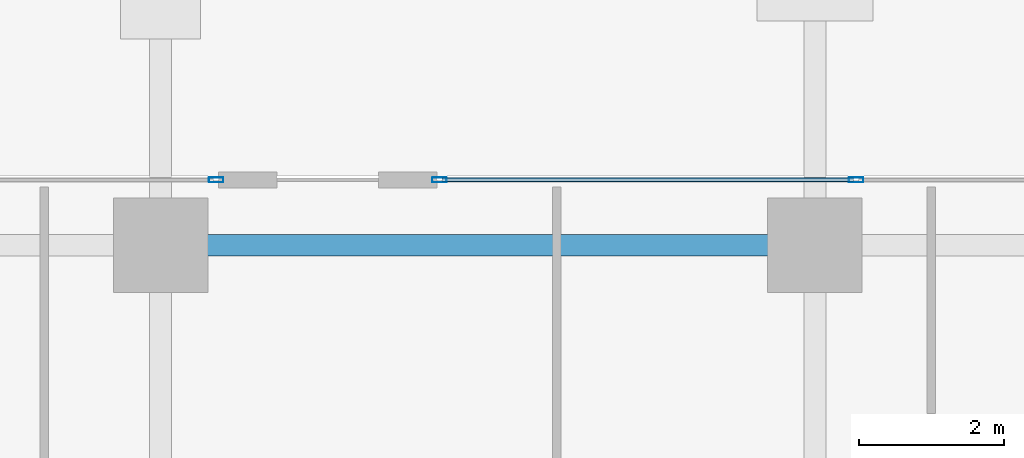
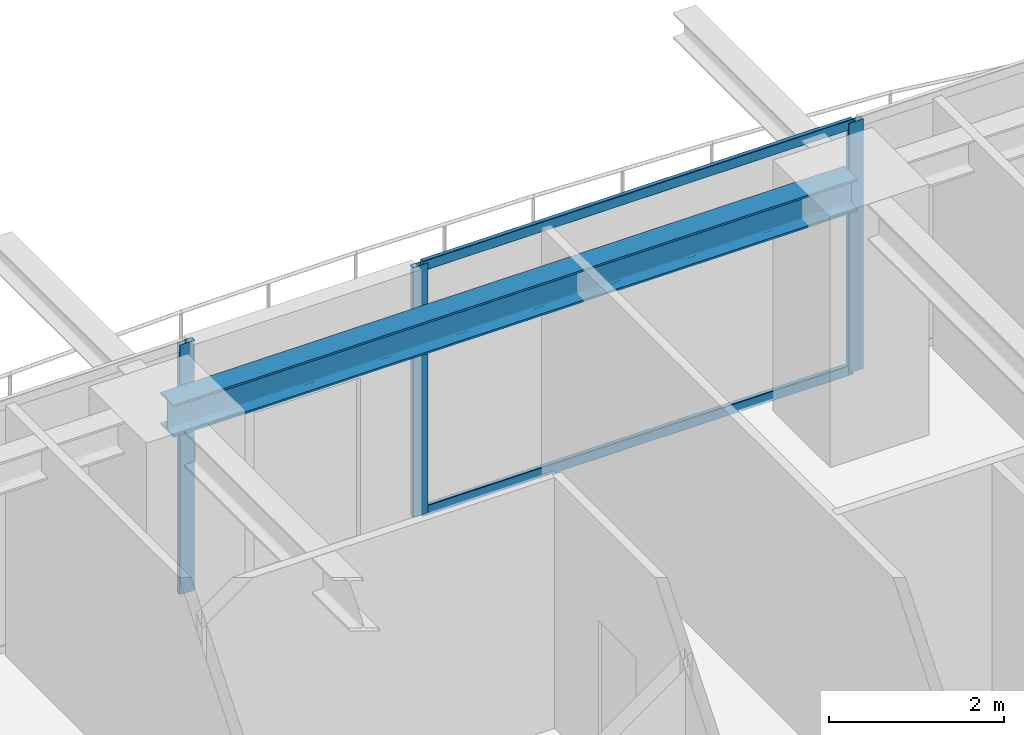
# One storey, part 19 of 34: 5 members, 1 beam, 2 elements without a shape of their own.
"""IFC4 building model written with IfcOpenShell, lengths in metres."""

from ifc_helpers import new_model, si_unit, direction, frame, origin, origin_2d, place, context, subcontext, project, spatial, hollow_rectangle, i_section, extrude, source, transform, mapped, material, layer, layer_set, material_profile, profile_set, type_object, element, aggregate, save


model = new_model("IFC4")

# Units and contexts
model_context = context("Model", 3, precision=1e-05, world=origin(), true_north=direction((0.0, 1.0)))
body_context = subcontext(model_context, "Body", "Model", "MODEL_VIEW")
ifc_project = project(units=[si_unit("LENGTHUNIT", "METRE"), si_unit("AREAUNIT", "SQUARE_METRE"), si_unit("VOLUMEUNIT", "CUBIC_METRE"), si_unit("PLANEANGLEUNIT", "RADIAN"), si_unit("MASSUNIT", "GRAM", prefix="KILO")], contexts=[model_context])

# Site, building, storey
site_placement = place(None, origin())
site = spatial("IfcSite", under=ifc_project, at=site_placement, CompositionType="ELEMENT")
building_placement = place(site_placement, origin())
building = spatial("IfcBuilding", under=site, at=building_placement, Name="Serunith Strait Residences", CompositionType="ELEMENT")
storey_placement = place(building_placement, frame((0.0, 0.0, 180.14990234375)))
storey = spatial("IfcBuildingStorey", under=building, at=storey_placement, Name="L45", CompositionType="ELEMENT", Elevation=180.14990234375)

# Beam
ifc_material_1 = material(Name="Steel S355J2", Category="steel")
ifc_material_profile_1 = material_profile(ifc_material_1, i_section(OverallWidth=0.300048828125, OverallDepth=0.449951171875, WebThickness=0.013916015625, FlangeThickness=0.02587890625, FilletRadius=0.027099609375, at=origin_2d()), Name="HEB 450")
ifc_profile_set_1 = profile_set([ifc_material_profile_1], Name="Steel S355J2")
beam_type = type_object("IfcBeamType", Name="BM-HEB450", PredefinedType="BEAM", material=ifc_profile_set_1)
shared_shape_1 = source(origin(), body_context, "Body", "SweptSolid", [
    extrude(i_section(OverallWidth=0.300048828125, OverallDepth=0.449951171875, WebThickness=0.013916015625, FlangeThickness=0.02587890625, FilletRadius=0.027099609375, at=origin_2d()), origin(), (0.0, 0.0, 1.0), 9.0),
])
beam_placement = place(storey_placement, frame((36.89990234375, 48.10009765625, 3.26220703125), z_axis=(-1.0, 0.0, 0.0), x_axis=(0.0, -1.0, 0.0)))
element("IfcBeam", 1, at=beam_placement, inside=storey, type_object=beam_type, Name="L45 Perimeter Ring Beam 10", PredefinedType="BEAM", context=body_context, shape_type="MappedRepresentation", body=[
    mapped(shared_shape_1, transform((0.0, 0.0, 0.0), scale=1.0)),
])

# Curtain wall, members
ifc_material_2 = material(Name="Pale-Champagne Anodised Aluminium", Category="aluminium")
ifc_layer = layer(ifc_material_2, 0.199951171875, Name="Pale-Champagne Anodised Aluminium")
ifc_layer_set = layer_set([ifc_layer], Name="Pale-Champagne Anodised Aluminium")
curtain_wall_type = type_object("IfcCurtainWallType", Name="CW-SYS2", PredefinedType="NOTDEFINED", material=ifc_layer_set)
curtain_wall_1_placement = place(storey_placement, origin())
curtain_wall_1 = element("IfcCurtainWall", 2, at=curtain_wall_1_placement, inside=storey, type_object=curtain_wall_type, Name="L45 N Unitised Fritted Curtain Wall", PredefinedType="NOTDEFINED")
ifc_material_profile_2 = material_profile(ifc_material_2, hollow_rectangle(XDim=0.070068359375, YDim=0.199951171875, WallThickness=0.00390625, InnerFilletRadius=0.006103515625, OuterFilletRadius=0.010009765625, at=origin_2d()), Name="ALU 200x70x4")
ifc_profile_set_2 = profile_set([ifc_material_profile_2], Name="Pale-Champagne Anodised Aluminium")
member_type_1 = type_object("IfcMemberType", Name="CW-SYS2-MULL", PredefinedType="MULLION", material=ifc_profile_set_2)
shared_shape_2 = source(origin(), body_context, "Body", "SweptSolid", [
    extrude(hollow_rectangle(XDim=0.070068359375, YDim=0.199951171875, WallThickness=0.00390625, InnerFilletRadius=0.006103515625, OuterFilletRadius=0.010009765625, at=origin_2d()), origin(), (0.0, 0.0, 1.0), 3.47509765625),
])
member_1_placement = place(storey_placement, frame((37.466552734375, 49.0, 0.0), z_axis=(0.0, 0.0, 1.0), x_axis=(0.0, -1.0, 0.0)))
member_1 = element("IfcMember", 3, at=member_1_placement, type_object=member_type_1, Name="CW-2 mullion 3", PredefinedType="MULLION", context=body_context, shape_type="MappedRepresentation", body=[
    mapped(shared_shape_2, transform((0.0, 0.0, 0.0), scale=1.0)),
])
member_2_placement = place(storey_placement, frame((31.735107421875, 49.0, 0.0), z_axis=(0.0, 0.0, 1.0), x_axis=(0.0, -1.0, 0.0)))
member_2 = element("IfcMember", 4, at=member_2_placement, type_object=member_type_1, Name="CW-2 mullion 4", PredefinedType="MULLION", context=body_context, shape_type="MappedRepresentation", body=[
    mapped(shared_shape_2, transform((0.0, 0.0, 0.0), scale=1.0)),
])

# Curtain wall, member
curtain_wall_2_placement = place(storey_placement, origin())
curtain_wall_2 = element("IfcCurtainWall", 5, at=curtain_wall_2_placement, inside=storey, type_object=curtain_wall_type, Name="L45 N Unitised Fritted Curtain Wall", PredefinedType="NOTDEFINED")
member_3_placement = place(storey_placement, frame((28.6650390625, 49.0, 0.0), z_axis=(0.0, 0.0, 1.0), x_axis=(0.0, -1.0, 0.0)))
member_3 = element("IfcMember", 6, at=member_3_placement, type_object=member_type_1, Name="CW-2 mullion 1", PredefinedType="MULLION", context=body_context, shape_type="MappedRepresentation", body=[
    mapped(shared_shape_2, transform((0.0, 0.0, 0.0), scale=1.0)),
])
aggregate(curtain_wall_2, [member_3])

# Member
ifc_material_profile_3 = material_profile(ifc_material_2, hollow_rectangle(XDim=0.06005859375, YDim=0.139892578125, WallThickness=0.00341796875, InnerFilletRadius=0.00537109375, OuterFilletRadius=0.0087890625, at=origin_2d()), Name="ALU 140x60x3.5")
ifc_profile_set_3 = profile_set([ifc_material_profile_3], Name="Pale-Champagne Anodised Aluminium")
member_type_2 = type_object("IfcMemberType", Name="CW-SYS2-TRAN", PredefinedType="USERDEFINED", material=ifc_profile_set_3)
shared_shape_3 = source(origin(), body_context, "Body", "SweptSolid", [
    extrude(hollow_rectangle(XDim=0.06005859375, YDim=0.139892578125, WallThickness=0.00341796875, InnerFilletRadius=0.00537109375, OuterFilletRadius=0.0087890625, at=origin_2d()), origin(), (0.0, 0.0, 1.0), 5.66162109375),
])
member_4_placement = place(storey_placement, frame((37.431640625, 49.0, 0.030029296875), z_axis=(-1.0, 0.0, 0.0), x_axis=(0.0, -1.0, 0.0)))
member_4 = element("IfcMember", 7, at=member_4_placement, type_object=member_type_2, Name="CW-2 transom 3.1", ObjectType="TRANSOM", PredefinedType="USERDEFINED", context=body_context, shape_type="MappedRepresentation", body=[
    mapped(shared_shape_3, transform((0.0, 0.0, 0.0), scale=1.0)),
])

member_5_placement = place(storey_placement, frame((37.431640625, 49.0, 3.445068359375), z_axis=(-1.0, 0.0, 0.0), x_axis=(0.0, -1.0, 0.0)))
member_5 = element("IfcMember", 8, at=member_5_placement, type_object=member_type_2, Name="CW-2 transom 3.2", ObjectType="TRANSOM", PredefinedType="USERDEFINED", context=body_context, shape_type="MappedRepresentation", body=[
    mapped(shared_shape_3, transform((0.0, 0.0, 0.0), scale=1.0)),
])

aggregate(curtain_wall_1, [member_1, member_2, member_4, member_5])

save(model, "model.ifc")
